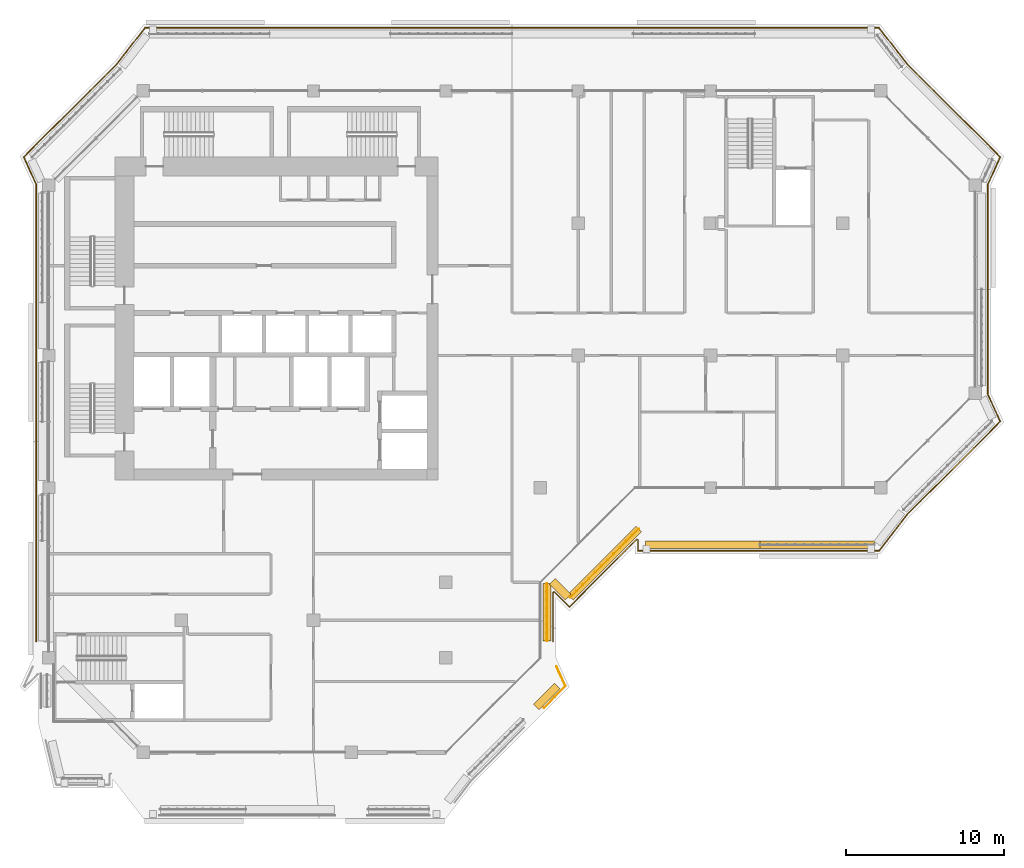
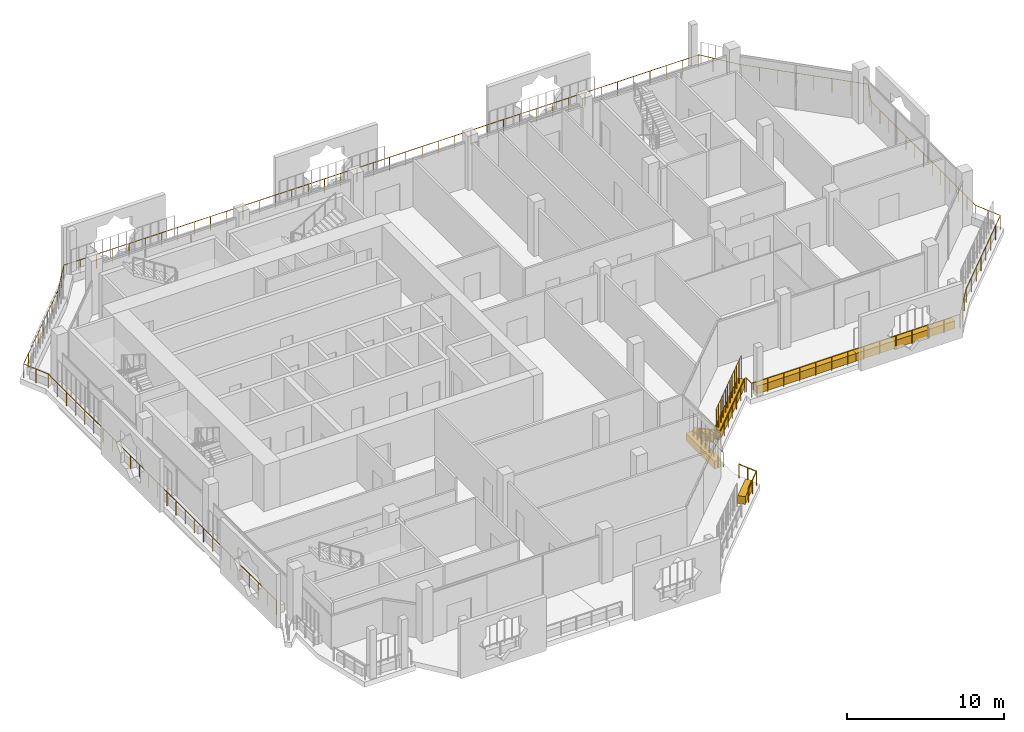
# One storey, part 18 of 22: 6 coverings, 4 railings.
"""IFC4 building model written with IfcOpenShell, lengths in metres."""

from ifc_helpers import new_model, si_unit, direction, frame, origin, origin_2d, place, context, subcontext, project, spatial, rectangle, circle, extrude, material, material_profile, profile_set, type_object, element, save


model = new_model("IFC4")

# Units and contexts
model_context = context("Model", 3, precision=1e-05, world=origin(), true_north=direction((0.0, 1.0)))
body_context = subcontext(model_context, "Body", "Model", "MODEL_VIEW")
ifc_project = project(units=[si_unit("LENGTHUNIT", "METRE"), si_unit("AREAUNIT", "SQUARE_METRE"), si_unit("VOLUMEUNIT", "CUBIC_METRE"), si_unit("PLANEANGLEUNIT", "RADIAN"), si_unit("MASSUNIT", "GRAM", prefix="KILO")], contexts=[model_context])

# Site, building, storey
site_placement = place(None, origin())
site = spatial("IfcSite", under=ifc_project, at=site_placement, CompositionType="ELEMENT")
building_placement = place(site_placement, origin())
building = spatial("IfcBuilding", under=site, at=building_placement, Name="Kawkab Arch Medical Tower", CompositionType="ELEMENT")
storey_placement = place(building_placement, frame((0.0, 0.0, 298.60009765625)))
storey = spatial("IfcBuildingStorey", under=building, at=storey_placement, Name="L69", CompositionType="ELEMENT", Elevation=298.60009765625)

# Railings
ifc_material_1 = material(Name="Bronze anodised aluminium guard", Category="aluminium")
railing_type_1 = type_object("IfcRailingType", Name="Loggia and terrace guard 1100", PredefinedType="GUARDRAIL", material=ifc_material_1)
railing_1_placement = place(storey_placement, frame((-0.800048828125, -34.969970703125, 0.0)))
element("IfcRailing", 1, at=railing_1_placement, inside=storey, type_object=railing_type_1, Name="Guard L69.LOG-01.1.4", PredefinedType="GUARDRAIL", context=body_context, shape_type="SweptSolid", body=[
    extrude(circle(Radius=0.02392578125, at=origin_2d()), frame((0.0, 0.0, 1.076171875), z_axis=(0.0, 1.0, 0.0), x_axis=(-1.0, 0.0, 0.0)), (0.0, 0.0, 1.0), 29.012939453125),
    extrude(circle(Radius=0.02392578125, at=origin_2d()), frame((0.0, 29.012939453125, 1.076171875), z_axis=(-0.414452581809, 0.910070907914, 0.0), x_axis=(-0.910070907914, -0.414452581809, 0.0)), (0.0, 0.0, 1.0), 1.925048828125),
    extrude(circle(Radius=0.02392578125, at=origin_2d()), frame((-0.7978515625, 30.764892578125, 1.076171875), z_axis=(0.707092175918, 0.707121386154, 0.0), x_axis=(-0.707121386154, 0.707092175918, 0.0)), (0.0, 0.0, 1.0), 8.358154296875),
    extrude(circle(Radius=0.02392578125, at=origin_2d()), frame((5.112060546875, 36.675048828125, 1.076171875), z_axis=(0.614144026922, 0.789193964876, 0.0), x_axis=(-0.789193964876, 0.614144026922, 0.0)), (0.0, 0.0, 1.0), 2.907958984375),
    extrude(circle(Radius=0.02392578125, at=origin_2d()), frame((6.89794921875, 38.969970703125, 1.076171875), z_axis=(1.0, 0.0, 0.0), x_axis=(0.0, 1.0, 0.0)), (0.0, 0.0, 1.0), 46.60400390625),
    extrude(circle(Radius=0.02392578125, at=origin_2d()), frame((53.501953125, 38.969970703125, 1.076171875), z_axis=(0.614196313452, -0.789153273162, 0.0), x_axis=(0.789153273162, 0.614196313452, 0.0)), (0.0, 0.0, 1.0), 2.908203125),
    extrude(circle(Radius=0.02392578125, at=origin_2d()), frame((55.2880859375, 36.675048828125, 1.076171875), z_axis=(0.707092175918, -0.707121386154, 0.0), x_axis=(0.707121386154, 0.707092175918, 0.0)), (0.0, 0.0, 1.0), 8.358154296875),
    extrude(circle(Radius=0.02392578125, at=origin_2d()), frame((61.197998046875, 30.764892578125, 1.076171875), z_axis=(-0.414452581809, -0.910070907914, 0.0), x_axis=(0.910070907914, -0.414452581809, 0.0)), (0.0, 0.0, 1.0), 1.925048828125),
    extrude(circle(Radius=0.02392578125, at=origin_2d()), frame((60.400146484375, 29.012939453125, 1.076171875), z_axis=(0.0, -1.0, 0.0), x_axis=(1.0, 0.0, 0.0)), (0.0, 0.0, 1.0), 13.285888671875),
    extrude(circle(Radius=0.02392578125, at=origin_2d()), frame((60.400146484375, 15.72705078125, 1.076171875), z_axis=(0.414404752076, -0.910092688388, 0.0), x_axis=(0.910092688388, 0.414404752076, 0.0)), (0.0, 0.0, 1.0), 1.92529296875),
    extrude(circle(Radius=0.02392578125, at=origin_2d()), frame((61.197998046875, 13.974853515625, 1.076171875), z_axis=(-0.707106781187, -0.707106781187, 0.0), x_axis=(0.707106781187, -0.707106781187, 0.0)), (0.0, 0.0, 1.0), 8.35791015625),
    extrude(circle(Radius=0.02392578125, at=origin_2d()), frame((55.2880859375, 8.06494140625, 1.076171875), z_axis=(-0.614196313452, -0.789153273162, 0.0), x_axis=(0.789153273162, -0.614196313452, 0.0)), (0.0, 0.0, 1.0), 2.908203125),
    extrude(circle(Radius=0.02392578125, at=origin_2d()), frame((53.501953125, 5.77001953125, 1.076171875), z_axis=(-1.0, 0.0, 0.0), x_axis=(0.0, -1.0, 0.0)), (0.0, 0.0, 1.0), 15.302001953125),
    extrude(circle(Radius=0.02392578125, at=origin_2d()), frame((38.199951171875, 5.77001953125, 1.076171875), z_axis=(0.0, 1.0, 0.0), x_axis=(-1.0, 0.0, 0.0)), (0.0, 0.0, 1.0), 0.6728515625),
    extrude(circle(Radius=0.02392578125, at=origin_2d()), frame((38.199951171875, 6.44287109375, 1.076171875), z_axis=(-0.923431341387, 0.383763674343, 0.0), x_axis=(-0.383763674343, -0.923431341387, 0.0)), (0.0, 0.0, 1.0), 0.101806640625),
    extrude(circle(Radius=0.02392578125, at=origin_2d()), frame((38.10595703125, 6.48193359375, 1.076171875), z_axis=(-0.707187685852, -0.707025867263, 0.0), x_axis=(0.707025867263, -0.707187685852, 0.0)), (0.0, 0.0, 1.0), 6.034912109375),
    extrude(circle(Radius=0.02392578125, at=origin_2d()), frame((33.838134765625, 2.215087890625, 1.076171875), z_axis=(-0.707198215437, 0.707015335112, 0.0), x_axis=(-0.707015335112, -0.707198215437, 0.0)), (0.0, 0.0, 1.0), 1.3349609375),
    extrude(circle(Radius=0.02392578125, at=origin_2d()), frame((32.89404296875, 3.158935546875, 1.076171875), z_axis=(-0.923431341387, -0.383763674343, 0.0), x_axis=(0.383763674343, -0.923431341387, 0.0)), (0.0, 0.0, 1.0), 0.101806640625),
    extrude(circle(Radius=0.02392578125, at=origin_2d()), frame((32.800048828125, 3.119873046875, 1.076171875), z_axis=(0.0, -1.0, 0.0), x_axis=(1.0, 0.0, 0.0)), (0.0, 0.0, 1.0), 3.119873046875),
    extrude(circle(Radius=0.02099609375, at=origin_2d()), origin(), (0.0, 0.0, 1.0), 1.052001953125),
    extrude(circle(Radius=0.02099609375, at=origin_2d()), frame((0.0, 1.160400390625, 0.0)), (0.0, 0.0, 1.0), 1.052001953125),
    extrude(circle(Radius=0.02099609375, at=origin_2d()), frame((0.0, 2.321044921875, 0.0)), (0.0, 0.0, 1.0), 1.052001953125),
    extrude(circle(Radius=0.02099609375, at=origin_2d()), frame((0.0, 3.4814453125, 0.0)), (0.0, 0.0, 1.0), 1.052001953125),
    extrude(circle(Radius=0.02099609375, at=origin_2d()), frame((0.0, 4.64208984375, 0.0)), (0.0, 0.0, 1.0), 1.052001953125),
    extrude(circle(Radius=0.02099609375, at=origin_2d()), frame((0.0, 5.802490234375, 0.0)), (0.0, 0.0, 1.0), 1.052001953125),
    extrude(circle(Radius=0.02099609375, at=origin_2d()), frame((0.0, 6.963134765625, 0.0)), (0.0, 0.0, 1.0), 1.052001953125),
    extrude(circle(Radius=0.02099609375, at=origin_2d()), frame((0.0, 8.12353515625, 0.0)), (0.0, 0.0, 1.0), 1.052001953125),
    extrude(circle(Radius=0.02099609375, at=origin_2d()), frame((0.0, 9.2841796875, 0.0)), (0.0, 0.0, 1.0), 1.052001953125),
    extrude(circle(Radius=0.02099609375, at=origin_2d()), frame((0.0, 10.444580078125, 0.0)), (0.0, 0.0, 1.0), 1.052001953125),
    extrude(circle(Radius=0.02099609375, at=origin_2d()), frame((0.0, 11.605224609375, 0.0)), (0.0, 0.0, 1.0), 1.052001953125),
    extrude(circle(Radius=0.02099609375, at=origin_2d()), frame((0.0, 12.765625, 0.0)), (0.0, 0.0, 1.0), 1.052001953125),
    extrude(circle(Radius=0.02099609375, at=origin_2d()), frame((0.0, 13.92626953125, 0.0)), (0.0, 0.0, 1.0), 1.052001953125),
    extrude(circle(Radius=0.02099609375, at=origin_2d()), frame((0.0, 15.086669921875, 0.0)), (0.0, 0.0, 1.0), 1.052001953125),
    extrude(circle(Radius=0.02099609375, at=origin_2d()), frame((0.0, 16.247314453125, 0.0)), (0.0, 0.0, 1.0), 1.052001953125),
    extrude(circle(Radius=0.02099609375, at=origin_2d()), frame((0.0, 17.40771484375, 0.0)), (0.0, 0.0, 1.0), 1.052001953125),
    extrude(circle(Radius=0.02099609375, at=origin_2d()), frame((0.0, 18.568359375, 0.0)), (0.0, 0.0, 1.0), 1.052001953125),
    extrude(circle(Radius=0.02099609375, at=origin_2d()), frame((0.0, 19.728759765625, 0.0)), (0.0, 0.0, 1.0), 1.052001953125),
    extrude(circle(Radius=0.02099609375, at=origin_2d()), frame((0.0, 20.889404296875, 0.0)), (0.0, 0.0, 1.0), 1.052001953125),
    extrude(circle(Radius=0.02099609375, at=origin_2d()), frame((0.0, 22.0498046875, 0.0)), (0.0, 0.0, 1.0), 1.052001953125),
    extrude(circle(Radius=0.02099609375, at=origin_2d()), frame((0.0, 23.21044921875, 0.0)), (0.0, 0.0, 1.0), 1.052001953125),
    extrude(circle(Radius=0.02099609375, at=origin_2d()), frame((0.0, 24.370849609375, 0.0)), (0.0, 0.0, 1.0), 1.052001953125),
    extrude(circle(Radius=0.02099609375, at=origin_2d()), frame((0.0, 25.531494140625, 0.0)), (0.0, 0.0, 1.0), 1.052001953125),
    extrude(circle(Radius=0.02099609375, at=origin_2d()), frame((0.0, 26.69189453125, 0.0)), (0.0, 0.0, 1.0), 1.052001953125),
    extrude(circle(Radius=0.02099609375, at=origin_2d()), frame((0.0, 27.8525390625, 0.0)), (0.0, 0.0, 1.0), 1.052001953125),
    extrude(circle(Radius=0.02099609375, at=origin_2d()), frame((0.0, 29.012939453125, 0.0)), (0.0, 0.0, 1.0), 1.052001953125),
    extrude(circle(Radius=0.02099609375, at=origin_2d()), frame((-0.39892578125, 29.888916015625, 0.0)), (0.0, 0.0, 1.0), 1.052001953125),
    extrude(circle(Radius=0.02099609375, at=origin_2d()), frame((-0.7978515625, 30.764892578125, 0.0)), (0.0, 0.0, 1.0), 1.052001953125),
    extrude(circle(Radius=0.02099609375, at=origin_2d()), frame((0.04638671875, 31.609130859375, 0.0)), (0.0, 0.0, 1.0), 1.052001953125),
    extrude(circle(Radius=0.02099609375, at=origin_2d()), frame((0.890625, 32.45361328125, 0.0)), (0.0, 0.0, 1.0), 1.052001953125),
    extrude(circle(Radius=0.02099609375, at=origin_2d()), frame((1.73486328125, 33.2978515625, 0.0)), (0.0, 0.0, 1.0), 1.052001953125),
    extrude(circle(Radius=0.02099609375, at=origin_2d()), frame((2.579345703125, 34.14208984375, 0.0)), (0.0, 0.0, 1.0), 1.052001953125),
    extrude(circle(Radius=0.02099609375, at=origin_2d()), frame((3.423583984375, 34.986328125, 0.0)), (0.0, 0.0, 1.0), 1.052001953125),
    extrude(circle(Radius=0.02099609375, at=origin_2d()), frame((4.267822265625, 35.830810546875, 0.0)), (0.0, 0.0, 1.0), 1.052001953125),
    extrude(circle(Radius=0.02099609375, at=origin_2d()), frame((5.112060546875, 36.675048828125, 0.0)), (0.0, 0.0, 1.0), 1.052001953125),
    extrude(circle(Radius=0.02099609375, at=origin_2d()), frame((5.707275390625, 37.43994140625, 0.0)), (0.0, 0.0, 1.0), 1.052001953125),
    extrude(circle(Radius=0.02099609375, at=origin_2d()), frame((6.302734375, 38.205078125, 0.0)), (0.0, 0.0, 1.0), 1.052001953125),
    extrude(circle(Radius=0.02099609375, at=origin_2d()), frame((6.89794921875, 38.969970703125, 0.0)), (0.0, 0.0, 1.0), 1.052001953125),
    extrude(circle(Radius=0.02099609375, at=origin_2d()), frame((8.093017578125, 38.969970703125, 0.0)), (0.0, 0.0, 1.0), 1.052001953125),
    extrude(circle(Radius=0.02099609375, at=origin_2d()), frame((9.287841796875, 38.969970703125, 0.0)), (0.0, 0.0, 1.0), 1.052001953125),
    extrude(circle(Radius=0.02099609375, at=origin_2d()), frame((10.48291015625, 38.969970703125, 0.0)), (0.0, 0.0, 1.0), 1.052001953125),
    extrude(circle(Radius=0.02099609375, at=origin_2d()), frame((11.677734375, 38.969970703125, 0.0)), (0.0, 0.0, 1.0), 1.052001953125),
    extrude(circle(Radius=0.02099609375, at=origin_2d()), frame((12.872802734375, 38.969970703125, 0.0)), (0.0, 0.0, 1.0), 1.052001953125),
    extrude(circle(Radius=0.02099609375, at=origin_2d()), frame((14.06787109375, 38.969970703125, 0.0)), (0.0, 0.0, 1.0), 1.052001953125),
    extrude(circle(Radius=0.02099609375, at=origin_2d()), frame((15.2626953125, 38.969970703125, 0.0)), (0.0, 0.0, 1.0), 1.052001953125),
    extrude(circle(Radius=0.02099609375, at=origin_2d()), frame((16.457763671875, 38.969970703125, 0.0)), (0.0, 0.0, 1.0), 1.052001953125),
    extrude(circle(Radius=0.02099609375, at=origin_2d()), frame((17.65283203125, 38.969970703125, 0.0)), (0.0, 0.0, 1.0), 1.052001953125),
    extrude(circle(Radius=0.02099609375, at=origin_2d()), frame((18.84765625, 38.969970703125, 0.0)), (0.0, 0.0, 1.0), 1.052001953125),
    extrude(circle(Radius=0.02099609375, at=origin_2d()), frame((20.042724609375, 38.969970703125, 0.0)), (0.0, 0.0, 1.0), 1.052001953125),
    extrude(circle(Radius=0.02099609375, at=origin_2d()), frame((21.237548828125, 38.969970703125, 0.0)), (0.0, 0.0, 1.0), 1.052001953125),
    extrude(circle(Radius=0.02099609375, at=origin_2d()), frame((22.4326171875, 38.969970703125, 0.0)), (0.0, 0.0, 1.0), 1.052001953125),
    extrude(circle(Radius=0.02099609375, at=origin_2d()), frame((23.627685546875, 38.969970703125, 0.0)), (0.0, 0.0, 1.0), 1.052001953125),
    extrude(circle(Radius=0.02099609375, at=origin_2d()), frame((24.822509765625, 38.969970703125, 0.0)), (0.0, 0.0, 1.0), 1.052001953125),
    extrude(circle(Radius=0.02099609375, at=origin_2d()), frame((26.017578125, 38.969970703125, 0.0)), (0.0, 0.0, 1.0), 1.052001953125),
    extrude(circle(Radius=0.02099609375, at=origin_2d()), frame((27.21240234375, 38.969970703125, 0.0)), (0.0, 0.0, 1.0), 1.052001953125),
    extrude(circle(Radius=0.02099609375, at=origin_2d()), frame((28.407470703125, 38.969970703125, 0.0)), (0.0, 0.0, 1.0), 1.052001953125),
    extrude(circle(Radius=0.02099609375, at=origin_2d()), frame((29.6025390625, 38.969970703125, 0.0)), (0.0, 0.0, 1.0), 1.052001953125),
    extrude(circle(Radius=0.02099609375, at=origin_2d()), frame((30.79736328125, 38.969970703125, 0.0)), (0.0, 0.0, 1.0), 1.052001953125),
    extrude(circle(Radius=0.02099609375, at=origin_2d()), frame((31.992431640625, 38.969970703125, 0.0)), (0.0, 0.0, 1.0), 1.052001953125),
    extrude(circle(Radius=0.02099609375, at=origin_2d()), frame((33.1875, 38.969970703125, 0.0)), (0.0, 0.0, 1.0), 1.052001953125),
    extrude(circle(Radius=0.02099609375, at=origin_2d()), frame((34.38232421875, 38.969970703125, 0.0)), (0.0, 0.0, 1.0), 1.052001953125),
    extrude(circle(Radius=0.02099609375, at=origin_2d()), frame((35.577392578125, 38.969970703125, 0.0)), (0.0, 0.0, 1.0), 1.052001953125),
    extrude(circle(Radius=0.02099609375, at=origin_2d()), frame((36.772216796875, 38.969970703125, 0.0)), (0.0, 0.0, 1.0), 1.052001953125),
    extrude(circle(Radius=0.02099609375, at=origin_2d()), frame((37.96728515625, 38.969970703125, 0.0)), (0.0, 0.0, 1.0), 1.052001953125),
    extrude(circle(Radius=0.02099609375, at=origin_2d()), frame((39.162353515625, 38.969970703125, 0.0)), (0.0, 0.0, 1.0), 1.052001953125),
    extrude(circle(Radius=0.02099609375, at=origin_2d()), frame((40.357177734375, 38.969970703125, 0.0)), (0.0, 0.0, 1.0), 1.052001953125),
    extrude(circle(Radius=0.02099609375, at=origin_2d()), frame((41.55224609375, 38.969970703125, 0.0)), (0.0, 0.0, 1.0), 1.052001953125),
    extrude(circle(Radius=0.02099609375, at=origin_2d()), frame((42.7470703125, 38.969970703125, 0.0)), (0.0, 0.0, 1.0), 1.052001953125),
    extrude(circle(Radius=0.02099609375, at=origin_2d()), frame((43.942138671875, 38.969970703125, 0.0)), (0.0, 0.0, 1.0), 1.052001953125),
    extrude(circle(Radius=0.02099609375, at=origin_2d()), frame((45.13720703125, 38.969970703125, 0.0)), (0.0, 0.0, 1.0), 1.052001953125),
    extrude(circle(Radius=0.02099609375, at=origin_2d()), frame((46.33203125, 38.969970703125, 0.0)), (0.0, 0.0, 1.0), 1.052001953125),
    extrude(circle(Radius=0.02099609375, at=origin_2d()), frame((47.527099609375, 38.969970703125, 0.0)), (0.0, 0.0, 1.0), 1.052001953125),
    extrude(circle(Radius=0.02099609375, at=origin_2d()), frame((48.72216796875, 38.969970703125, 0.0)), (0.0, 0.0, 1.0), 1.052001953125),
    extrude(circle(Radius=0.02099609375, at=origin_2d()), frame((49.9169921875, 38.969970703125, 0.0)), (0.0, 0.0, 1.0), 1.052001953125),
    extrude(circle(Radius=0.02099609375, at=origin_2d()), frame((51.112060546875, 38.969970703125, 0.0)), (0.0, 0.0, 1.0), 1.052001953125),
    extrude(circle(Radius=0.02099609375, at=origin_2d()), frame((52.306884765625, 38.969970703125, 0.0)), (0.0, 0.0, 1.0), 1.052001953125),
    extrude(circle(Radius=0.02099609375, at=origin_2d()), frame((53.501953125, 38.969970703125, 0.0)), (0.0, 0.0, 1.0), 1.052001953125),
    extrude(circle(Radius=0.02099609375, at=origin_2d()), frame((54.097412109375, 38.205078125, 0.0)), (0.0, 0.0, 1.0), 1.052001953125),
    extrude(circle(Radius=0.02099609375, at=origin_2d()), frame((54.692626953125, 37.43994140625, 0.0)), (0.0, 0.0, 1.0), 1.052001953125),
    extrude(circle(Radius=0.02099609375, at=origin_2d()), frame((55.2880859375, 36.675048828125, 0.0)), (0.0, 0.0, 1.0), 1.052001953125),
    extrude(circle(Radius=0.02099609375, at=origin_2d()), frame((56.13232421875, 35.830810546875, 0.0)), (0.0, 0.0, 1.0), 1.052001953125),
    extrude(circle(Radius=0.02099609375, at=origin_2d()), frame((56.9765625, 34.986328125, 0.0)), (0.0, 0.0, 1.0), 1.052001953125),
    extrude(circle(Radius=0.02099609375, at=origin_2d()), frame((57.82080078125, 34.14208984375, 0.0)), (0.0, 0.0, 1.0), 1.052001953125),
    extrude(circle(Radius=0.02099609375, at=origin_2d()), frame((58.665283203125, 33.2978515625, 0.0)), (0.0, 0.0, 1.0), 1.052001953125),
    extrude(circle(Radius=0.02099609375, at=origin_2d()), frame((59.509521484375, 32.45361328125, 0.0)), (0.0, 0.0, 1.0), 1.052001953125),
    extrude(circle(Radius=0.02099609375, at=origin_2d()), frame((60.353759765625, 31.609130859375, 0.0)), (0.0, 0.0, 1.0), 1.052001953125),
    extrude(circle(Radius=0.02099609375, at=origin_2d()), frame((61.197998046875, 30.764892578125, 0.0)), (0.0, 0.0, 1.0), 1.052001953125),
    extrude(circle(Radius=0.02099609375, at=origin_2d()), frame((60.799072265625, 29.888916015625, 0.0)), (0.0, 0.0, 1.0), 1.052001953125),
    extrude(circle(Radius=0.02099609375, at=origin_2d()), frame((60.400146484375, 29.012939453125, 0.0)), (0.0, 0.0, 1.0), 1.052001953125),
    extrude(circle(Radius=0.02099609375, at=origin_2d()), frame((60.400146484375, 27.90576171875, 0.0)), (0.0, 0.0, 1.0), 1.052001953125),
    extrude(circle(Radius=0.02099609375, at=origin_2d()), frame((60.400146484375, 26.798583984375, 0.0)), (0.0, 0.0, 1.0), 1.052001953125),
    extrude(circle(Radius=0.02099609375, at=origin_2d()), frame((60.400146484375, 25.69140625, 0.0)), (0.0, 0.0, 1.0), 1.052001953125),
    extrude(circle(Radius=0.02099609375, at=origin_2d()), frame((60.400146484375, 24.584228515625, 0.0)), (0.0, 0.0, 1.0), 1.052001953125),
    extrude(circle(Radius=0.02099609375, at=origin_2d()), frame((60.400146484375, 23.47705078125, 0.0)), (0.0, 0.0, 1.0), 1.052001953125),
    extrude(circle(Radius=0.02099609375, at=origin_2d()), frame((60.400146484375, 22.3701171875, 0.0)), (0.0, 0.0, 1.0), 1.052001953125),
    extrude(circle(Radius=0.02099609375, at=origin_2d()), frame((60.400146484375, 21.262939453125, 0.0)), (0.0, 0.0, 1.0), 1.052001953125),
    extrude(circle(Radius=0.02099609375, at=origin_2d()), frame((60.400146484375, 20.15576171875, 0.0)), (0.0, 0.0, 1.0), 1.052001953125),
    extrude(circle(Radius=0.02099609375, at=origin_2d()), frame((60.400146484375, 19.048583984375, 0.0)), (0.0, 0.0, 1.0), 1.052001953125),
    extrude(circle(Radius=0.02099609375, at=origin_2d()), frame((60.400146484375, 17.94140625, 0.0)), (0.0, 0.0, 1.0), 1.052001953125),
    extrude(circle(Radius=0.02099609375, at=origin_2d()), frame((60.400146484375, 16.834228515625, 0.0)), (0.0, 0.0, 1.0), 1.052001953125),
    extrude(circle(Radius=0.02099609375, at=origin_2d()), frame((60.400146484375, 15.72705078125, 0.0)), (0.0, 0.0, 1.0), 1.052001953125),
    extrude(circle(Radius=0.02099609375, at=origin_2d()), frame((60.799072265625, 14.85107421875, 0.0)), (0.0, 0.0, 1.0), 1.052001953125),
    extrude(circle(Radius=0.02099609375, at=origin_2d()), frame((61.197998046875, 13.974853515625, 0.0)), (0.0, 0.0, 1.0), 1.052001953125),
    extrude(circle(Radius=0.02099609375, at=origin_2d()), frame((60.353759765625, 13.130615234375, 0.0)), (0.0, 0.0, 1.0), 1.052001953125),
    extrude(circle(Radius=0.02099609375, at=origin_2d()), frame((59.509521484375, 12.286376953125, 0.0)), (0.0, 0.0, 1.0), 1.052001953125),
    extrude(circle(Radius=0.02099609375, at=origin_2d()), frame((58.665283203125, 11.442138671875, 0.0)), (0.0, 0.0, 1.0), 1.052001953125),
    extrude(circle(Radius=0.02099609375, at=origin_2d()), frame((57.82080078125, 10.59765625, 0.0)), (0.0, 0.0, 1.0), 1.052001953125),
    extrude(circle(Radius=0.02099609375, at=origin_2d()), frame((56.9765625, 9.75341796875, 0.0)), (0.0, 0.0, 1.0), 1.052001953125),
    extrude(circle(Radius=0.02099609375, at=origin_2d()), frame((56.13232421875, 8.9091796875, 0.0)), (0.0, 0.0, 1.0), 1.052001953125),
    extrude(circle(Radius=0.02099609375, at=origin_2d()), frame((55.2880859375, 8.06494140625, 0.0)), (0.0, 0.0, 1.0), 1.052001953125),
    extrude(circle(Radius=0.02099609375, at=origin_2d()), frame((54.692626953125, 7.300048828125, 0.0)), (0.0, 0.0, 1.0), 1.052001953125),
    extrude(circle(Radius=0.02099609375, at=origin_2d()), frame((54.097412109375, 6.534912109375, 0.0)), (0.0, 0.0, 1.0), 1.052001953125),
    extrude(circle(Radius=0.02099609375, at=origin_2d()), frame((53.501953125, 5.77001953125, 0.0)), (0.0, 0.0, 1.0), 1.052001953125),
    extrude(circle(Radius=0.02099609375, at=origin_2d()), frame((52.324951171875, 5.77001953125, 0.0)), (0.0, 0.0, 1.0), 1.052001953125),
    extrude(circle(Radius=0.02099609375, at=origin_2d()), frame((51.147705078125, 5.77001953125, 0.0)), (0.0, 0.0, 1.0), 1.052001953125),
    extrude(circle(Radius=0.02099609375, at=origin_2d()), frame((49.970703125, 5.77001953125, 0.0)), (0.0, 0.0, 1.0), 1.052001953125),
    extrude(circle(Radius=0.02099609375, at=origin_2d()), frame((48.793701171875, 5.77001953125, 0.0)), (0.0, 0.0, 1.0), 1.052001953125),
    extrude(circle(Radius=0.02099609375, at=origin_2d()), frame((47.616455078125, 5.77001953125, 0.0)), (0.0, 0.0, 1.0), 1.052001953125),
    extrude(circle(Radius=0.02099609375, at=origin_2d()), frame((46.439453125, 5.77001953125, 0.0)), (0.0, 0.0, 1.0), 1.052001953125),
    extrude(circle(Radius=0.02099609375, at=origin_2d()), frame((45.262451171875, 5.77001953125, 0.0)), (0.0, 0.0, 1.0), 1.052001953125),
    extrude(circle(Radius=0.02099609375, at=origin_2d()), frame((44.08544921875, 5.77001953125, 0.0)), (0.0, 0.0, 1.0), 1.052001953125),
    extrude(circle(Radius=0.02099609375, at=origin_2d()), frame((42.908203125, 5.77001953125, 0.0)), (0.0, 0.0, 1.0), 1.052001953125),
    extrude(circle(Radius=0.02099609375, at=origin_2d()), frame((41.731201171875, 5.77001953125, 0.0)), (0.0, 0.0, 1.0), 1.052001953125),
    extrude(circle(Radius=0.02099609375, at=origin_2d()), frame((40.55419921875, 5.77001953125, 0.0)), (0.0, 0.0, 1.0), 1.052001953125),
    extrude(circle(Radius=0.02099609375, at=origin_2d()), frame((39.376953125, 5.77001953125, 0.0)), (0.0, 0.0, 1.0), 1.052001953125),
    extrude(circle(Radius=0.02099609375, at=origin_2d()), frame((38.199951171875, 5.77001953125, 0.0)), (0.0, 0.0, 1.0), 1.052001953125),
    extrude(circle(Radius=0.02099609375, at=origin_2d()), frame((38.199951171875, 6.44287109375, 0.0)), (0.0, 0.0, 1.0), 1.052001953125),
    extrude(circle(Radius=0.02099609375, at=origin_2d()), frame((38.10595703125, 6.48193359375, 0.0)), (0.0, 0.0, 1.0), 1.052001953125),
    extrude(circle(Radius=0.02099609375, at=origin_2d()), frame((37.39453125, 5.770751953125, 0.0)), (0.0, 0.0, 1.0), 1.052001953125),
    extrude(circle(Radius=0.02099609375, at=origin_2d()), frame((36.683349609375, 5.0595703125, 0.0)), (0.0, 0.0, 1.0), 1.052001953125),
    extrude(circle(Radius=0.02099609375, at=origin_2d()), frame((35.97216796875, 4.3486328125, 0.0)), (0.0, 0.0, 1.0), 1.052001953125),
    extrude(circle(Radius=0.02099609375, at=origin_2d()), frame((35.2607421875, 3.637451171875, 0.0)), (0.0, 0.0, 1.0), 1.052001953125),
    extrude(circle(Radius=0.02099609375, at=origin_2d()), frame((34.54931640625, 2.92626953125, 0.0)), (0.0, 0.0, 1.0), 1.052001953125),
    extrude(circle(Radius=0.02099609375, at=origin_2d()), frame((33.838134765625, 2.215087890625, 0.0)), (0.0, 0.0, 1.0), 1.052001953125),
    extrude(circle(Radius=0.02099609375, at=origin_2d()), frame((33.3662109375, 2.68701171875, 0.0)), (0.0, 0.0, 1.0), 1.052001953125),
    extrude(circle(Radius=0.02099609375, at=origin_2d()), frame((32.89404296875, 3.158935546875, 0.0)), (0.0, 0.0, 1.0), 1.052001953125),
    extrude(circle(Radius=0.02099609375, at=origin_2d()), frame((32.800048828125, 3.119873046875, 0.0)), (0.0, 0.0, 1.0), 1.052001953125),
    extrude(circle(Radius=0.02099609375, at=origin_2d()), frame((32.800048828125, 2.079833984375, 0.0)), (0.0, 0.0, 1.0), 1.052001953125),
    extrude(circle(Radius=0.02099609375, at=origin_2d()), frame((32.800048828125, 1.0400390625, 0.0)), (0.0, 0.0, 1.0), 1.052001953125),
    extrude(circle(Radius=0.02099609375, at=origin_2d()), frame((32.800048828125, 0.0, 0.0)), (0.0, 0.0, 1.0), 1.052001953125),
])
railing_2_placement = place(storey_placement, frame((32.22998046875, -36.548095703125, 0.0)))
element("IfcRailing", 2, at=railing_2_placement, inside=storey, type_object=railing_type_1, Name="Guard L69.LOG-01.1.5", PredefinedType="GUARDRAIL", context=body_context, shape_type="SweptSolid", body=[
    extrude(circle(Radius=0.02392578125, at=origin_2d()), frame((0.0, 0.0, 1.076171875), z_axis=(0.4146351122, -0.909987760209, 0.0), x_axis=(0.909987760209, 0.4146351122, 0.0)), (0.0, 0.0, 1.0), 1.3701171875),
    extrude(circle(Radius=0.02392578125, at=origin_2d()), frame((0.568115234375, -1.246826171875, 1.076171875), z_axis=(-0.707106781187, -0.707106781187, 0.0), x_axis=(0.707106781187, -0.707106781187, 0.0)), (0.0, 0.0, 1.0), 1.944580078125),
    extrude(circle(Radius=0.02099609375, at=origin_2d()), origin(), (0.0, 0.0, 1.0), 1.052001953125),
    extrude(circle(Radius=0.02099609375, at=origin_2d()), frame((0.2841796875, -0.62353515625, 0.0)), (0.0, 0.0, 1.0), 1.052001953125),
    extrude(circle(Radius=0.02099609375, at=origin_2d()), frame((0.568115234375, -1.246826171875, 0.0)), (0.0, 0.0, 1.0), 1.052001953125),
    extrude(circle(Radius=0.02099609375, at=origin_2d()), frame((-0.119384765625, -1.934326171875, 0.0)), (0.0, 0.0, 1.0), 1.052001953125),
    extrude(circle(Radius=0.02099609375, at=origin_2d()), frame((-0.806884765625, -2.621826171875, 0.0)), (0.0, 0.0, 1.0), 1.052001953125),
])

# Coverings
ifc_material_2 = material(Name="Planting soil in a precast trough", Category="concrete")
ifc_material_profile = material_profile(ifc_material_2, rectangle(XDim=0.5, YDim=0.60009765625, at=origin_2d()), Name="Trough 500x600")
ifc_profile_set = profile_set([ifc_material_profile], Name="Planting soil in a precast trough")
covering_type = type_object("IfcCoveringType", Name="Planter trough 500 x 600", PredefinedType="USERDEFINED", material=ifc_profile_set)
for number, where, z_axis, x_axis, name in (
    (3, (52.416015625, -28.820068359375, 0.2998046875), (-1.0, 0.0, 0.0), (0.0, -1.0, 0.0), "Planter L69.LOG-01-01.27"),
    (4, (45.14794921875, -28.820068359375, 0.2998046875), (-1.0, 0.0, 0.0), (0.0, -1.0, 0.0), "Planter L69.LOG-01-01.28"),
):
    element("IfcCovering", number, at=place(storey_placement, frame(where, z_axis=z_axis, x_axis=x_axis)), inside=storey, type_object=covering_type, Name=name, ObjectType="PLANTER", PredefinedType="USERDEFINED", context=body_context, shape_type="SweptSolid", body=[
        extrude(rectangle(XDim=0.5, YDim=0.60009765625, at=origin_2d()), origin(), (0.0, 0.0, 1.0), 7.26806640625),
    ])
covering_1_placement = place(storey_placement, frame((37.43701171875, -27.820068359375, 0.2998046875), z_axis=(-0.707206504313, -0.707007043994, 0.0), x_axis=(0.707007043994, -0.707206504313, 0.0)))
element("IfcCovering", 5, at=covering_1_placement, inside=storey, type_object=covering_type, Name="Planter L69.LOG-01-01.29", ObjectType="PLANTER", PredefinedType="USERDEFINED", context=body_context, shape_type="SweptSolid", body=[
    extrude(rectangle(XDim=0.5, YDim=0.60009765625, at=origin_2d()), origin(), (0.0, 0.0, 1.0), 6.1201171875),
])
covering_2_placement = place(storey_placement, frame((32.967041015625, -32.14697265625, 0.2998046875), z_axis=(-0.707192746389, 0.707020805532, 0.0), x_axis=(-0.707020805532, -0.707192746389, 0.0)))
element("IfcCovering", 6, at=covering_2_placement, inside=storey, type_object=covering_type, Name="Planter L69.LOG-01-01.30", ObjectType="PLANTER", PredefinedType="USERDEFINED", context=body_context, shape_type="SweptSolid", body=[
    extrude(rectangle(XDim=0.5, YDim=0.60009765625, at=origin_2d()), origin(), (0.0, 0.0, 1.0), 1.419921875),
])
covering_3_placement = place(storey_placement, frame((31.6201171875, -31.284912109375, 0.2998046875), z_axis=(0.0, -1.0, 0.0), x_axis=(1.0, 0.0, 0.0)))
element("IfcCovering", 7, at=covering_3_placement, inside=storey, type_object=covering_type, Name="Planter L69.LOG-01-01.31", ObjectType="PLANTER", PredefinedType="USERDEFINED", context=body_context, shape_type="SweptSolid", body=[
    extrude(rectangle(XDim=0.5, YDim=0.60009765625, at=origin_2d()), origin(), (0.0, 0.0, 1.0), 3.635009765625),
])
covering_4_placement = place(storey_placement, frame((32.27294921875, -37.782958984375, 0.2998046875), z_axis=(-0.707042219965, -0.707171336514, 0.0), x_axis=(0.707171336514, -0.707042219965, 0.0)))
element("IfcCovering", 8, at=covering_4_placement, inside=storey, type_object=covering_type, Name="Planter L69.LOG-01-01.32", ObjectType="PLANTER", PredefinedType="USERDEFINED", context=body_context, shape_type="SweptSolid", body=[
    extrude(rectangle(XDim=0.5, YDim=0.60009765625, at=origin_2d()), origin(), (0.0, 0.0, 1.0), 1.890869140625),
])

# Railings
ifc_material_3 = material(Name="Bronze anodised aluminium trellis for climbing plants", Category="aluminium")
railing_type_2 = type_object("IfcRailingType", Name="Planting trellis 2400", PredefinedType="USERDEFINED", material=ifc_material_3)
railing_3_placement = place(storey_placement, frame((37.43701171875, -27.820068359375, 0.0)))
element("IfcRailing", 9, at=railing_3_placement, inside=storey, type_object=railing_type_2, Name="Planting trellis L69.LOG-01-01.29", ObjectType="TRELLIS", PredefinedType="USERDEFINED", context=body_context, shape_type="SweptSolid", body=[
    extrude(circle(Radius=0.01513671875, at=origin_2d()), frame((0.0, 0.0, 2.384765625), z_axis=(-0.707206504313, -0.707007043994, 0.0), x_axis=(0.707007043994, -0.707206504313, 0.0)), (0.0, 0.0, 1.0), 6.1201171875),
    extrude(circle(Radius=0.030029296875, at=origin_2d()), origin(), (0.0, 0.0, 1.0), 2.369873046875),
    extrude(circle(Radius=0.030029296875, at=origin_2d()), frame((-0.3935546875, -0.393310546875, 0.0)), (0.0, 0.0, 1.0), 2.369873046875),
    extrude(circle(Radius=0.030029296875, at=origin_2d()), frame((-0.786865234375, -0.78662109375, 0.0)), (0.0, 0.0, 1.0), 2.369873046875),
    extrude(circle(Radius=0.030029296875, at=origin_2d()), frame((-1.180419921875, -1.18017578125, 0.0)), (0.0, 0.0, 1.0), 2.369873046875),
    extrude(circle(Radius=0.030029296875, at=origin_2d()), frame((-1.573974609375, -1.573486328125, 0.0)), (0.0, 0.0, 1.0), 2.369873046875),
    extrude(circle(Radius=0.030029296875, at=origin_2d()), frame((-1.96728515625, -1.966796875, 0.0)), (0.0, 0.0, 1.0), 2.369873046875),
    extrude(circle(Radius=0.030029296875, at=origin_2d()), frame((-2.36083984375, -2.360107421875, 0.0)), (0.0, 0.0, 1.0), 2.369873046875),
    extrude(circle(Radius=0.030029296875, at=origin_2d()), frame((-2.754150390625, -2.75341796875, 0.0)), (0.0, 0.0, 1.0), 2.369873046875),
    extrude(circle(Radius=0.030029296875, at=origin_2d()), frame((-3.147705078125, -3.146728515625, 0.0)), (0.0, 0.0, 1.0), 2.369873046875),
    extrude(circle(Radius=0.030029296875, at=origin_2d()), frame((-3.541259765625, -3.540283203125, 0.0)), (0.0, 0.0, 1.0), 2.369873046875),
    extrude(circle(Radius=0.030029296875, at=origin_2d()), frame((-3.9345703125, -3.93359375, 0.0)), (0.0, 0.0, 1.0), 2.369873046875),
    extrude(circle(Radius=0.030029296875, at=origin_2d()), frame((-4.328125, -4.326904296875, 0.0)), (0.0, 0.0, 1.0), 2.369873046875),
])
railing_4_placement = place(storey_placement, frame((31.6201171875, -31.284912109375, 0.0)))
element("IfcRailing", 10, at=railing_4_placement, inside=storey, type_object=railing_type_2, Name="Planting trellis L69.LOG-01-01.31", ObjectType="TRELLIS", PredefinedType="USERDEFINED", context=body_context, shape_type="SweptSolid", body=[
    extrude(circle(Radius=0.01513671875, at=origin_2d()), frame((0.0, 0.0, 2.384765625), z_axis=(0.0, -1.0, 0.0), x_axis=(1.0, 0.0, 0.0)), (0.0, 0.0, 1.0), 3.635009765625),
    extrude(circle(Radius=0.030029296875, at=origin_2d()), origin(), (0.0, 0.0, 1.0), 2.369873046875),
    extrude(circle(Radius=0.030029296875, at=origin_2d()), frame((0.0, -0.519287109375, 0.0)), (0.0, 0.0, 1.0), 2.369873046875),
    extrude(circle(Radius=0.030029296875, at=origin_2d()), frame((0.0, -1.03857421875, 0.0)), (0.0, 0.0, 1.0), 2.369873046875),
    extrude(circle(Radius=0.030029296875, at=origin_2d()), frame((0.0, -1.557861328125, 0.0)), (0.0, 0.0, 1.0), 2.369873046875),
    extrude(circle(Radius=0.030029296875, at=origin_2d()), frame((0.0, -2.0771484375, 0.0)), (0.0, 0.0, 1.0), 2.369873046875),
    extrude(circle(Radius=0.030029296875, at=origin_2d()), frame((0.0, -2.596435546875, 0.0)), (0.0, 0.0, 1.0), 2.369873046875),
    extrude(circle(Radius=0.030029296875, at=origin_2d()), frame((0.0, -3.11572265625, 0.0)), (0.0, 0.0, 1.0), 2.369873046875),
    extrude(circle(Radius=0.030029296875, at=origin_2d()), frame((0.0, -3.635009765625, 0.0)), (0.0, 0.0, 1.0), 2.369873046875),
])

save(model, "model.ifc")
